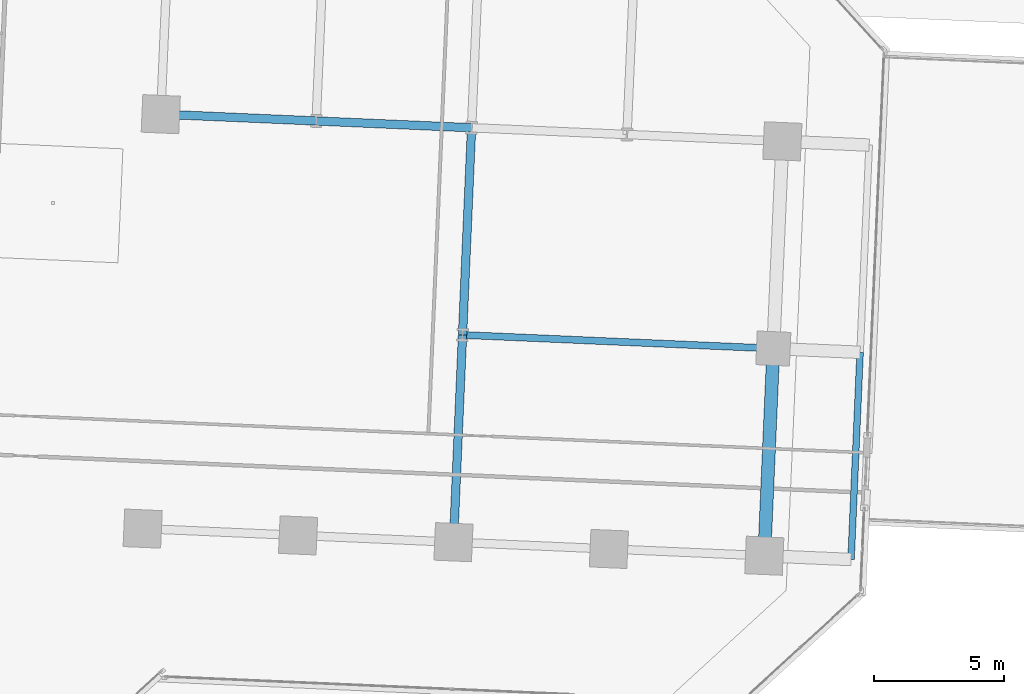
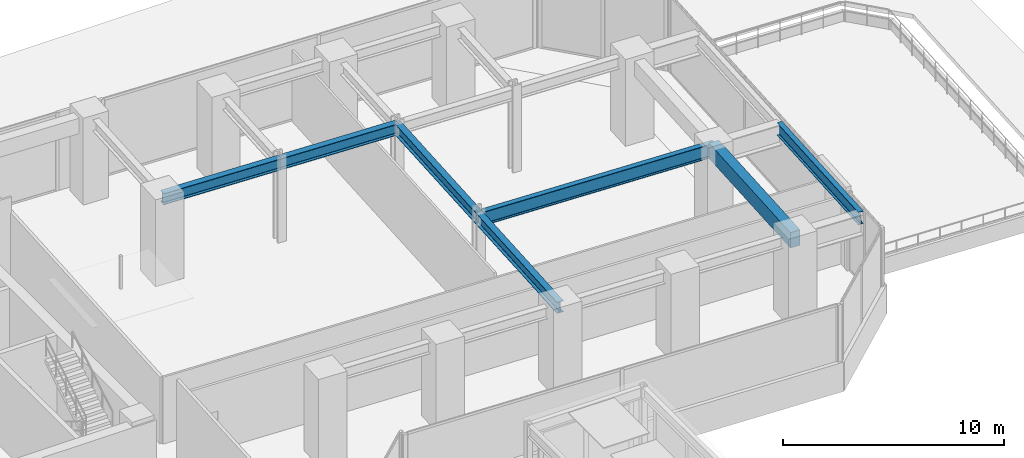
# One storey, part 14 of 33: 7 beams.
"""IFC4 building model written with IfcOpenShell, lengths in metres."""

import ifcopenshell
import ifcopenshell.guid

model = None  # the IFC model being written
_history = None  # IfcOwnerHistory: only IFC2X3 demands one
_inside = {}  # id of a spatial element -> (the spatial element, [elements in it])
_under = {}  # id of a project, library or spatial element -> (it, [spatial elements below it])
_declared = {}  # id of a project -> (the project, [libraries it declares])
_typed = {}  # id of a type object -> (the type object, [elements of that type])
_made_of = {}  # id of a material, layer set ... -> (it, [elements and type objects made of it])


def new_model(schema):
    """Start an empty IFC model of exactly this schema.

    Asked for "IFC4X3", IfcOpenShell would pick the latest addendum, in which some entities
    have other attributes; the version numbers below select the first issue.
    IFC2X3 requires an IfcOwnerHistory on every rooted entity: one is made here for all.
    """
    global model, _history
    if schema == "IFC4X3":
        model = ifcopenshell.file(schema_version=(4, 3, 0, 0))
    else:
        model = ifcopenshell.file(schema=schema)
    _inside.clear()
    _under.clear()
    _declared.clear()
    _typed.clear()
    _made_of.clear()
    _history = None
    if model.schema == "IFC2X3":
        org = make("IfcOrganization", Name="unknown")
        user = make(
            "IfcPersonAndOrganization",
            ThePerson=make("IfcPerson", FamilyName="unknown"),
            TheOrganization=org,
        )
        app = make(
            "IfcApplication",
            ApplicationDeveloper=org,
            Version="unknown",
            ApplicationFullName="unknown",
            ApplicationIdentifier="unknown",
        )
        _history = make(
            "IfcOwnerHistory",
            OwningUser=user,
            OwningApplication=app,
            ChangeAction="ADDED",
            CreationDate=0,
        )
    return model


def make(cls, **values):
    """One entity of the class cls with the attributes given. An attribute that is None is left unset."""
    return model.create_entity(
        cls, **{name: value for name, value in values.items() if value is not None}
    )


def rooted(cls, **values):
    """An entity with a GlobalId (a new one), such as an element, a storey or a relation."""
    return make(cls, GlobalId=ifcopenshell.guid.new(), OwnerHistory=_history, **values)


def si_unit(unit_type, name, prefix=None):
    """IfcSIUnit, for example si_unit("LENGTHUNIT", "METRE", prefix="MILLI")."""
    return make("IfcSIUnit", UnitType=unit_type, Prefix=prefix, Name=name)


def assignment(units):
    """IfcUnitAssignment: the units of a project."""
    return None if units is None else make("IfcUnitAssignment", Units=units)


def point(xyz):
    """IfcCartesianPoint."""
    return None if xyz is None else make("IfcCartesianPoint", Coordinates=xyz)


def direction(xyz):
    """IfcDirection."""
    return None if xyz is None else make("IfcDirection", DirectionRatios=xyz)


def frame(location, z_axis=None, x_axis=None):
    """IfcAxis2Placement3D, a coordinate frame: its origin and axes. An axis left out is left unset."""
    return make(
        "IfcAxis2Placement3D",
        Location=point(location),
        Axis=direction(z_axis),
        RefDirection=direction(x_axis),
    )


def frame_2d(location, x_axis=None):
    """IfcAxis2Placement2D, a coordinate frame in the plane: its origin and x axis."""
    return make(
        "IfcAxis2Placement2D", Location=point(location), RefDirection=direction(x_axis)
    )


def origin():
    """The frame at (0, 0, 0) with its axes left unset."""
    return frame((0.0, 0.0, 0.0))


def origin_2d():
    """The frame at (0, 0) in the plane with its x axis left unset."""
    return frame_2d((0.0, 0.0))


def place(relative_to, where):
    """IfcLocalPlacement: puts the frame where relative to a parent placement (None: the world)."""
    return make(
        "IfcLocalPlacement", PlacementRelTo=relative_to, RelativePlacement=where
    )


def context(
    kind, dimensions, precision=None, world=None, true_north=None, identifier=None
):
    """IfcGeometricRepresentationContext, for example the 3D "Model" context."""
    return make(
        "IfcGeometricRepresentationContext",
        ContextIdentifier=identifier,
        ContextType=kind,
        CoordinateSpaceDimension=dimensions,
        Precision=precision,
        WorldCoordinateSystem=world,
        TrueNorth=true_north,
    )


def subcontext(parent, identifier, kind, view, scale=None):
    """IfcGeometricRepresentationSubContext, for example "Body" below "Model"."""
    return make(
        "IfcGeometricRepresentationSubContext",
        ContextIdentifier=identifier,
        ContextType=kind,
        ParentContext=parent,
        TargetScale=scale,
        TargetView=view,
    )


def project(units=None, contexts=None):
    """IfcProject with its units and contexts."""
    return rooted(
        "IfcProject",
        Name="project",
        RepresentationContexts=contexts,
        UnitsInContext=assignment(units),
    )


def spatial(cls, under=None, at=None, **own):
    """A site, building, storey or space (cls), placed at a placement, below another one or the project."""
    s = rooted(cls, ObjectPlacement=at, **own)
    if under is not None:
        _under.setdefault(under.id(), (under, []))[1].append(s)
    return s


def profile(cls, at=None, kind="AREA", **sizes):
    """A parametric profile (cls). Its sizes go by their IFC names, for example OverallWidth=200.0."""
    return make(cls, ProfileType=kind, Position=at, **sizes)


def rectangle(**sizes):
    """IfcRectangleProfileDef."""
    return profile("IfcRectangleProfileDef", **sizes)


def i_section(**sizes):
    """IfcIShapeProfileDef."""
    return profile("IfcIShapeProfileDef", **sizes)


def extrude(swept, where, along, depth):
    """IfcExtrudedAreaSolid: the profile swept, set in the frame where, extruded along a direction by depth."""
    return make(
        "IfcExtrudedAreaSolid",
        SweptArea=swept,
        Position=where,
        ExtrudedDirection=direction(along),
        Depth=depth,
    )


def shape(context_of_items, identifier, shape_type, items):
    """IfcShapeRepresentation: the items that make up one representation, for example the "Body"."""
    return make(
        "IfcShapeRepresentation",
        ContextOfItems=context_of_items,
        RepresentationIdentifier=identifier,
        RepresentationType=shape_type,
        Items=items,
    )


def source(mapping_origin, context_of_items, identifier, shape_type, items):
    """IfcRepresentationMap: a shape defined once, which mapped items show again and again."""
    return make(
        "IfcRepresentationMap",
        MappingOrigin=mapping_origin,
        MappedRepresentation=shape(context_of_items, identifier, shape_type, items),
    )


def transform(
    local_origin,
    x_axis=None,
    y_axis=None,
    z_axis=None,
    scale=None,
    scale2=None,
    scale3=None,
    uniform=True,
):
    """IfcCartesianTransformationOperator3D, or its non-uniform kind. x_axis, y_axis, z_axis: its Axis1, 2, 3."""
    if uniform:
        return make(
            "IfcCartesianTransformationOperator3D",
            Axis1=direction(x_axis),
            Axis2=direction(y_axis),
            LocalOrigin=point(local_origin),
            Scale=scale,
            Axis3=direction(z_axis),
        )
    return make(
        "IfcCartesianTransformationOperator3DnonUniform",
        Axis1=direction(x_axis),
        Axis2=direction(y_axis),
        LocalOrigin=point(local_origin),
        Scale=scale,
        Axis3=direction(z_axis),
        Scale2=scale2,
        Scale3=scale3,
    )


def mapped(mapping_source, mapping_target):
    """IfcMappedItem: shows the shape of a source again, moved by a transform."""
    return make(
        "IfcMappedItem", MappingSource=mapping_source, MappingTarget=mapping_target
    )


def material(Name=None, Category=None):
    """IfcMaterial."""
    return make("IfcMaterial", Name=Name, Category=Category)


def material_profile(
    of_material, cross_section, Name=None, Category=None, Priority=None
):
    """IfcMaterialProfile: a cross section and its material."""
    return make(
        "IfcMaterialProfile",
        Name=Name,
        Material=of_material,
        Profile=cross_section,
        Priority=Priority,
        Category=Category,
    )


def profile_set(profiles, Name=None, composite=None):
    """IfcMaterialProfileSet."""
    return make(
        "IfcMaterialProfileSet",
        Name=Name,
        MaterialProfiles=profiles,
        CompositeProfile=composite,
    )


def made_of(thing, what):
    """Note that an element or type object is made of a material, layer set ...; save() writes the relation."""
    if what is not None:
        _made_of.setdefault(what.id(), (what, []))[1].append(thing)
    return thing


def type_object(cls, material=None, **own):
    """A type object (cls), such as IfcWallType, which elements share."""
    return made_of(rooted(cls, **own), material)


def element(
    cls,
    number,
    at=None,
    inside=None,
    cuts=None,
    type_object=None,
    material=None,
    context=None,
    identifier="Body",
    shape_type=None,
    held_by="IfcProductDefinitionShape",
    body=None,
    shapes=None,
    **own,
):
    """One element of the class cls, such as IfcWall. Its Tag is "e" and its number.

    at: its placement. inside: the storey or other place that contains it. cuts: it is an
    opening in that element (IfcRelVoidsElement). A single representation is given by context,
    identifier, shape_type and body (its items); several are given by shapes. held_by: the class
    of the entity that holds the representations. save() writes the other relations.
    """
    e = rooted(cls, Tag="e%d" % number, ObjectPlacement=at, **own)
    if body is not None:
        shapes = [shape(context, identifier, shape_type, body)]
    if shapes is not None:
        e.Representation = make(held_by, Representations=shapes)
    if inside is not None:
        _inside.setdefault(inside.id(), (inside, []))[1].append(e)
    if cuts is not None:
        rooted(
            "IfcRelVoidsElement", RelatingBuildingElement=cuts, RelatedOpeningElement=e
        )
    if type_object is not None:
        _typed.setdefault(type_object.id(), (type_object, []))[1].append(e)
    return made_of(e, material)


def aggregate(whole, parts):
    """IfcRelAggregates: a whole, such as a stair, and the parts it consists of."""
    return rooted("IfcRelAggregates", RelatingObject=whole, RelatedObjects=parts)


def save(model, path):
    """Write the relations noted so far, then the file.

    IfcRelAggregates (storeys below a building ...), IfcRelContainedInSpatialStructure (elements
    in a storey), IfcRelDefinesByType, IfcRelAssociatesMaterial and IfcRelDeclares: one each for
    every whole, place, type object, material and project.
    """
    for whole, parts in _under.values():
        aggregate(whole, parts)
    for where, things in _inside.values():
        rooted(
            "IfcRelContainedInSpatialStructure",
            RelatedElements=things,
            RelatingStructure=where,
        )
    for kind, things in _typed.values():
        rooted("IfcRelDefinesByType", RelatedObjects=things, RelatingType=kind)
    for what, things in _made_of.values():
        rooted("IfcRelAssociatesMaterial", RelatedObjects=things, RelatingMaterial=what)
    for by, libraries in _declared.values():
        rooted("IfcRelDeclares", RelatingContext=by, RelatedDefinitions=libraries)
    model.write(path)


model = new_model("IFC4")

# Units and contexts
model_context = context("Model", 3, precision=1e-05, world=origin(), true_north=direction((0.0, 1.0)))
body_context = subcontext(model_context, "Body", "Model", "MODEL_VIEW")
ifc_project = project(units=[si_unit("LENGTHUNIT", "METRE"), si_unit("AREAUNIT", "SQUARE_METRE"), si_unit("VOLUMEUNIT", "CUBIC_METRE"), si_unit("PLANEANGLEUNIT", "RADIAN"), si_unit("MASSUNIT", "GRAM", prefix="KILO")], contexts=[model_context])

# Site, building, storey
site_placement = place(None, origin())
site = spatial("IfcSite", under=ifc_project, at=site_placement, CompositionType="ELEMENT")
building_placement = place(site_placement, origin())
building = spatial("IfcBuilding", under=site, at=building_placement, Name="Torre Montelarca", CompositionType="ELEMENT")
storey_placement = place(building_placement, frame((0.0, 0.0, 32.800048828125)))
storey = spatial("IfcBuildingStorey", under=building, at=storey_placement, Name="L07", CompositionType="ELEMENT", Elevation=32.800048828125)

# Beams
ifc_material_1 = material(Name="Steel ASTM A992 Grade 50", Category="steel")
ifc_material_profile_1 = material_profile(ifc_material_1, i_section(OverallWidth=0.326904296875, OverallDepth=0.6220703125, WebThickness=0.015380859375, FlangeThickness=0.0244140625, FilletRadius=0.014892578125, at=origin_2d()), Name="W610X195", Category="steel")
ifc_profile_set_1 = profile_set([ifc_material_profile_1], Name="Steel ASTM A992 Grade 50")
beam_type_1 = type_object("IfcBeamType", Name="BM-G-W610H", PredefinedType="BEAM", material=ifc_profile_set_1)
shared_shape_1 = source(origin(), body_context, "Body", "SweptSolid", [
    extrude(i_section(OverallWidth=0.326904296875, OverallDepth=0.6220703125, WebThickness=0.015380859375, FlangeThickness=0.0244140625, FilletRadius=0.014892578125, at=origin_2d()), origin(), (0.0, 0.0, 1.0), 6.0),
])
beam_1_placement = place(storey_placement, frame((42.329345703125, 39.09814453125, 4.2490234375), z_axis=(0.999048234227, -0.043619097751, 0.0), x_axis=(0.043619097751, 0.999048234227, 0.0)))
element("IfcBeam", 1, at=beam_1_placement, inside=storey, type_object=beam_type_1, Name="L07 Grid Girder X 42.0-48.0 at Y=40.0", PredefinedType="BEAM", context=body_context, shape_type="MappedRepresentation", body=[
    mapped(shared_shape_1, transform((0.0, 0.0, 0.0), scale=1.0)),
])
ifc_material_2 = material(Name="Concrete C55/67", Category="concrete")
ifc_material_profile_2 = material_profile(ifc_material_2, rectangle(XDim=0.5, YDim=0.85009765625, at=origin_2d()), Name="RCB500X850", Category="concrete")
ifc_profile_set_2 = profile_set([ifc_material_profile_2], Name="Concrete C55/67")
beam_type_2 = type_object("IfcBeamType", Name="BM-SP-RC850-EXT", PredefinedType="SPANDREL", material=ifc_profile_set_2)
shared_shape_2 = source(origin(), body_context, "Body", "SweptSolid", [
    extrude(rectangle(XDim=0.5, YDim=0.85009765625, at=origin_2d()), origin(), (0.0, 0.0, 1.0), 8.0),
])
beam_2_placement = place(storey_placement, frame((59.614501953125, 22.328369140625, 4.135009765625), z_axis=(0.043609387923, 0.999048658117, 0.0), x_axis=(-0.999048658117, 0.043609387923, 0.0)))
element("IfcBeam", 2, at=beam_2_placement, inside=storey, type_object=beam_type_2, Name="L07 Grid Girder Y 24.0-32.0 at X=60.0", PredefinedType="SPANDREL", context=body_context, shape_type="MappedRepresentation", body=[
    mapped(shared_shape_2, transform((0.0, 0.0, 0.0), scale=1.0)),
])
shared_shape_3 = source(origin(), body_context, "Body", "SweptSolid", [
    extrude(i_section(OverallWidth=0.326904296875, OverallDepth=0.6220703125, WebThickness=0.015380859375, FlangeThickness=0.0244140625, FilletRadius=0.014892578125, at=origin_2d()), origin(), (0.0, 0.0, 1.0), 8.0),
])
beam_3_placement = place(storey_placement, frame((47.974853515625, 30.843994140625, 4.2490234375), z_axis=(0.043609387923, 0.999048658117, 0.0), x_axis=(-0.999048658117, 0.043609387923, 0.0)))
element("IfcBeam", 3, at=beam_3_placement, inside=storey, type_object=beam_type_1, Name="L07 Grid Girder Y 32.0-40.0 at X=48.0", PredefinedType="BEAM", context=body_context, shape_type="MappedRepresentation", body=[
    mapped(shared_shape_3, transform((0.0, 0.0, 0.0), scale=1.0)),
])
shared_shape_4 = source(origin(), body_context, "Body", "SweptSolid", [
    extrude(i_section(OverallWidth=0.326904296875, OverallDepth=0.6220703125, WebThickness=0.015380859375, FlangeThickness=0.0244140625, FilletRadius=0.014892578125, at=origin_2d()), origin(), (0.0, 0.0, 1.0), 5.999755859375),
])
beam_4_placement = place(storey_placement, frame((36.335205078125, 39.35986328125, 4.2490234375), z_axis=(0.999048156805, -0.043620870972, 0.0), x_axis=(0.043620870972, 0.999048156805, 0.0)))
element("IfcBeam", 4, at=beam_4_placement, inside=storey, type_object=beam_type_1, Name="L07 Grid Girder X 36.0-42.0 at Y=40.0", PredefinedType="BEAM", context=body_context, shape_type="MappedRepresentation", body=[
    mapped(shared_shape_4, transform((0.0, 0.0, 0.0), scale=1.0)),
])
shared_shape_5 = source(origin(), body_context, "Body", "SweptSolid", [
    extrude(i_section(OverallWidth=0.326904296875, OverallDepth=0.6220703125, WebThickness=0.015380859375, FlangeThickness=0.0244140625, FilletRadius=0.014892578125, at=origin_2d()), origin(), (0.0, 0.0, 1.0), 7.999755859375),
])
beam_5_placement = place(storey_placement, frame((47.625732421875, 22.851806640625, 4.2490234375), z_axis=(0.043641177787, 0.999047269953, 0.0), x_axis=(-0.999047269953, 0.043641177787, 0.0)))
element("IfcBeam", 5, at=beam_5_placement, inside=storey, type_object=beam_type_1, Name="L07 Grid Girder Y 24.0-32.0 at X=48.0", PredefinedType="BEAM", context=body_context, shape_type="MappedRepresentation", body=[
    mapped(shared_shape_5, transform((0.0, 0.0, 0.0), scale=1.0)),
])
ifc_material_profile_3 = material_profile(ifc_material_1, i_section(OverallWidth=0.256103515625, OverallDepth=0.693115234375, WebThickness=0.014404296875, FlangeThickness=0.023681640625, FilletRadius=0.01806640625, at=origin_2d()), Name="W690X170", Category="steel")
ifc_profile_set_3 = profile_set([ifc_material_profile_3], Name="Steel ASTM A992 Grade 50")
beam_type_3 = type_object("IfcBeamType", Name="BM-G-W690-EXT", PredefinedType="BEAM", material=ifc_profile_set_3)
shared_shape_6 = source(origin(), body_context, "Body", "SweptSolid", [
    extrude(i_section(OverallWidth=0.256103515625, OverallDepth=0.693115234375, WebThickness=0.014404296875, FlangeThickness=0.023681640625, FilletRadius=0.01806640625, at=origin_2d()), origin(), (0.0, 0.0, 1.0), 8.0),
])
beam_6_placement = place(storey_placement, frame((62.961181640625, 22.18212890625, 4.212890625), z_axis=(0.043639847242, 0.999047328074, 0.0), x_axis=(-0.999047328074, 0.043639847242, 0.0)))
element("IfcBeam", 6, at=beam_6_placement, inside=storey, type_object=beam_type_3, Name="L07 Sliding Tray Edge Girder East 24-32m (FLR)", PredefinedType="BEAM", context=body_context, shape_type="MappedRepresentation", body=[
    mapped(shared_shape_6, transform((0.0, 0.0, 0.0), scale=1.0)),
])
ifc_material_profile_4 = material_profile(ifc_material_1, i_section(OverallWidth=0.26806640625, OverallDepth=0.758056640625, WebThickness=0.017578125, FlangeThickness=0.025390625, FilletRadius=0.01904296875, at=origin_2d()), Name="W760X220", Category="steel")
ifc_profile_set_4 = profile_set([ifc_material_profile_4], Name="Steel ASTM A992 Grade 50")
beam_type_4 = type_object("IfcBeamType", Name="BM-G-W760", PredefinedType="BEAM", material=ifc_profile_set_4)
shared_shape_7 = source(origin(), body_context, "Body", "SweptSolid", [
    extrude(i_section(OverallWidth=0.26806640625, OverallDepth=0.758056640625, WebThickness=0.017578125, FlangeThickness=0.025390625, FilletRadius=0.01904296875, at=origin_2d()), origin(), (0.0, 0.0, 1.0), 12.0),
])
beam_7_placement = place(storey_placement, frame((47.974853515625, 30.843994140625, 4.180908203125), z_axis=(0.999049081922, -0.043599677885, 0.0), x_axis=(0.043599677885, 0.999049081922, 0.0)))
element("IfcBeam", 7, at=beam_7_placement, inside=storey, type_object=beam_type_4, Name="L07 Grid Girder X 48.0-60.0 at Y=32.0", PredefinedType="BEAM", context=body_context, shape_type="MappedRepresentation", body=[
    mapped(shared_shape_7, transform((0.0, 0.0, 0.0), scale=1.0)),
])

save(model, "model.ifc")
